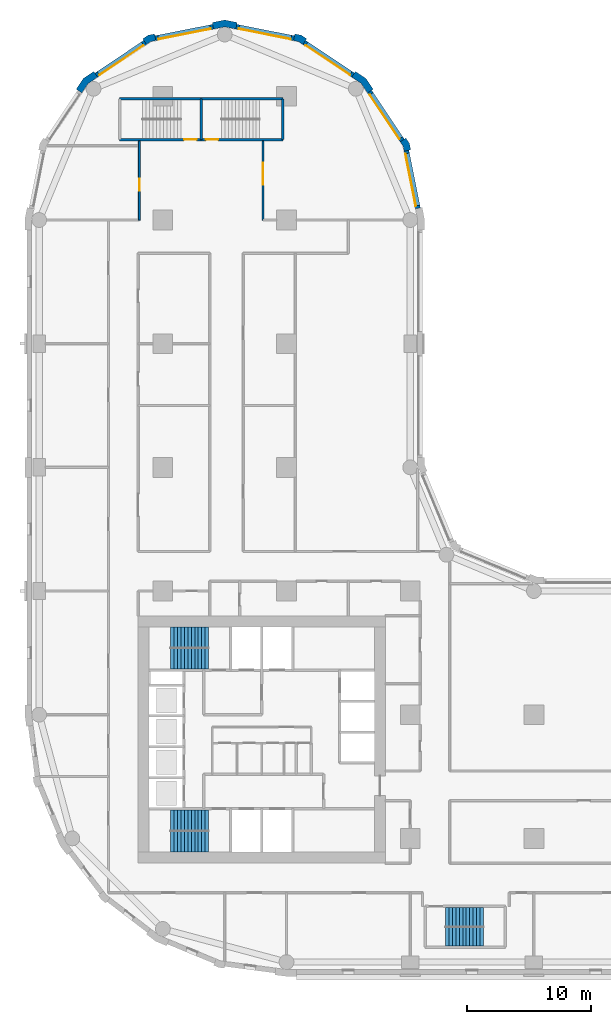
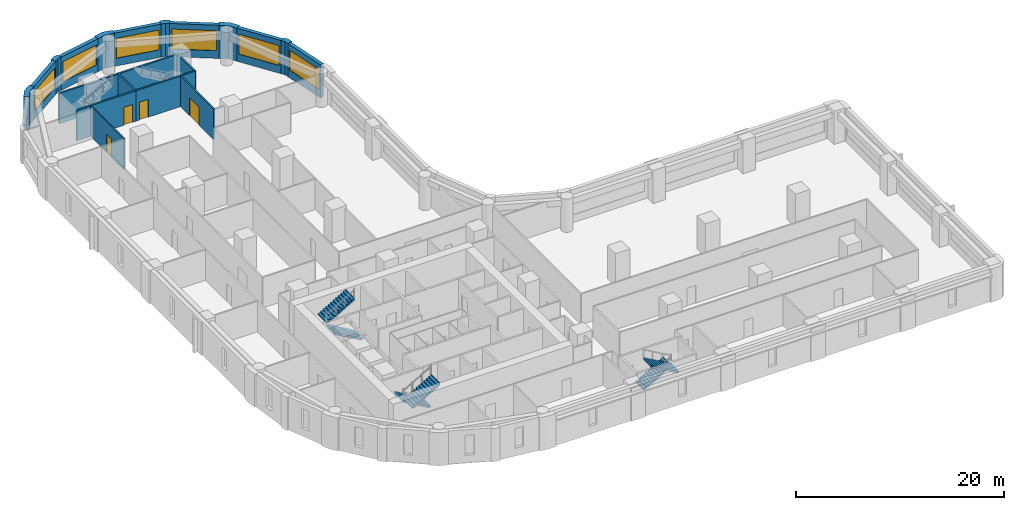
# One storey, part 7 of 10: 20 walls, 6 stair flights, 6 windows, 4 doors, 10 openings, 3 elements without a shape of their own.
"""IFC4 building model written with IfcOpenShell, lengths in metres."""

from ifc_helpers import new_model, si_unit, direction, frame, frame_2d, origin, place, context, subcontext, project, spatial, polyline, rectangle, outline, extrude, material, layer, layer_set, type_object, element, fill, aggregate, save


model = new_model("IFC4")

# Units and contexts
model_context = context("Model", 3, precision=1e-05, world=origin(), true_north=direction((0.0, 1.0)))
body_context = subcontext(model_context, "Body", "Model", "MODEL_VIEW")
ifc_project = project(units=[si_unit("LENGTHUNIT", "METRE"), si_unit("AREAUNIT", "SQUARE_METRE"), si_unit("VOLUMEUNIT", "CUBIC_METRE"), si_unit("PLANEANGLEUNIT", "RADIAN"), si_unit("MASSUNIT", "GRAM", prefix="KILO")], contexts=[model_context])

# Site, building, storey
site_placement = place(None, origin())
site = spatial("IfcSite", under=ifc_project, at=site_placement, CompositionType="ELEMENT")
building_placement = place(site_placement, origin())
building = spatial("IfcBuilding", under=site, at=building_placement, Name="Qaws Garden Tower", CompositionType="ELEMENT")
storey_placement = place(building_placement, frame((0.0, 0.0, 97.800048828125)))
storey = spatial("IfcBuildingStorey", under=building, at=storey_placement, Name="L24", CompositionType="ELEMENT", Elevation=97.800048828125)

# Wall, opening, window
ifc_material_1 = material(Name="Clay facing brick masonry", Category="masonry")
ifc_layer_1 = layer(ifc_material_1, 0.39990234375)
ifc_layer_set_1 = layer_set([ifc_layer_1], Name="Clay facing brick masonry")
wall_type_1 = type_object("IfcWallType", Name="Brick infill wall 400", PredefinedType="SOLIDWALL", material=ifc_layer_set_1)
wall_1_placement = place(storey_placement, frame((30.628662109375, 60.940673828125, 0.0), z_axis=(0.0, 0.0, 1.0), x_axis=(-0.195098533057, 0.98078364709, 0.0)))
wall_1 = element("IfcWall", 1, at=wall_1_placement, inside=storey, type_object=wall_type_1, Name="E-L24-infill-15", PredefinedType="SOLIDWALL", context=body_context, shape_type="SweptSolid", body=[
    extrude(rectangle(XDim=4.752685546875, YDim=0.39990234375, at=frame_2d((2.37646484375, 0.0))), origin(), (0.0, 0.0, 1.0), 3.89990234375),
])
opening_1_placement = place(wall_1_placement, frame((0.226318359375, 0.0, 0.89990234375)))
opening_1 = element("IfcOpeningElement", 2, at=opening_1_placement, cuts=wall_1, Name="Opening W06", PredefinedType="OPENING", context=body_context, shape_type="SweptSolid", body=[
    extrude(rectangle(XDim=4.300048828125, YDim=2.35009765625, at=frame_2d((2.14990234375, 1.175048828125))), frame((0.0, 0.2099609375, 0.0), z_axis=(0.0, -1.0, 0.0), x_axis=(1.0, 0.0, 0.0)), (0.0, 0.0, 1.0), 0.419921875),
])
ifc_material_2 = material(Name="Aluminium framed window, clear glazing", Category="aluminium")
window_type = type_object("IfcWindowType", Name="Ribbon window 4300 x 2350", PartitioningType="DOUBLE_PANEL_VERTICAL", PredefinedType="WINDOW", material=ifc_material_2)
window_1_placement = place(opening_1_placement, origin())
window_1 = element("IfcWindow", 3, at=window_1_placement, inside=storey, type_object=window_type, Name="E-L24-window-15-0", OverallHeight=2.35009765625, OverallWidth=4.300048828125, PartitioningType="SINGLE_PANEL", PredefinedType="WINDOW", context=body_context, shape_type="SweptSolid", body=[
    extrude(rectangle(XDim=4.300048828125, YDim=2.35009765625, at=frame_2d((2.14990234375, 1.175048828125))), frame((0.0, 0.159912109375, 0.0), z_axis=(0.0, -1.0, 0.0), x_axis=(1.0, 0.0, 0.0)), (0.0, 0.0, 1.0), 0.06005859375),
])
fill(opening_1, window_1)

wall_2_placement = place(storey_placement, frame((29.356689453125, 66.43408203125, 0.0), z_axis=(0.0, 0.0, 1.0), x_axis=(-0.555541552266, 0.831488775454, 0.0)))
wall_2 = element("IfcWall", 4, at=wall_2_placement, inside=storey, type_object=wall_type_1, Name="E-L24-infill-16", PredefinedType="SOLIDWALL", context=body_context, shape_type="SweptSolid", body=[
    extrude(rectangle(XDim=4.752685546875, YDim=0.39990234375, at=frame_2d((2.37646484375, 0.0))), origin(), (0.0, 0.0, 1.0), 3.89990234375),
])
opening_2_placement = place(wall_2_placement, frame((0.226318359375, 0.0, 0.89990234375)))
opening_2 = element("IfcOpeningElement", 5, at=opening_2_placement, cuts=wall_2, Name="Opening W06", PredefinedType="OPENING", context=body_context, shape_type="SweptSolid", body=[
    extrude(rectangle(XDim=4.300048828125, YDim=2.35009765625, at=frame_2d((2.14990234375, 1.175048828125))), frame((0.0, 0.2099609375, 0.0), z_axis=(0.0, -1.0, 0.0), x_axis=(1.0, 0.0, 0.0)), (0.0, 0.0, 1.0), 0.419921875),
])
window_2_placement = place(opening_2_placement, origin())
window_2 = element("IfcWindow", 6, at=window_2_placement, inside=storey, type_object=window_type, Name="E-L24-window-16-0", OverallHeight=2.35009765625, OverallWidth=4.300048828125, PartitioningType="SINGLE_PANEL", PredefinedType="WINDOW", context=body_context, shape_type="SweptSolid", body=[
    extrude(rectangle(XDim=4.300048828125, YDim=2.35009765625, at=frame_2d((2.14990234375, 1.175048828125))), frame((0.0, 0.159912109375, 0.0), z_axis=(0.0, -1.0, 0.0), x_axis=(1.0, 0.0, 0.0)), (0.0, 0.0, 1.0), 0.06005859375),
])
fill(opening_2, window_2)

wall_3_placement = place(storey_placement, frame((25.385986328125, 71.71630859375, 0.0), z_axis=(0.0, 0.0, 1.0), x_axis=(-0.831488775454, 0.555541552266, 0.0)))
wall_3 = element("IfcWall", 7, at=wall_3_placement, inside=storey, type_object=wall_type_1, Name="E-L24-infill-17", PredefinedType="SOLIDWALL", context=body_context, shape_type="SweptSolid", body=[
    extrude(rectangle(XDim=4.752685546875, YDim=0.39990234375, at=frame_2d((2.37646484375, 0.0))), origin(), (0.0, 0.0, 1.0), 3.89990234375),
])
opening_3_placement = place(wall_3_placement, frame((0.226318359375, 0.0, 0.89990234375)))
opening_3 = element("IfcOpeningElement", 8, at=opening_3_placement, cuts=wall_3, Name="Opening W06", PredefinedType="OPENING", context=body_context, shape_type="SweptSolid", body=[
    extrude(rectangle(XDim=4.300048828125, YDim=2.35009765625, at=frame_2d((2.14990234375, 1.175048828125))), frame((0.0, 0.2099609375, 0.0), z_axis=(0.0, -1.0, 0.0), x_axis=(1.0, 0.0, 0.0)), (0.0, 0.0, 1.0), 0.419921875),
])
window_3_placement = place(opening_3_placement, origin())
window_3 = element("IfcWindow", 9, at=window_3_placement, inside=storey, type_object=window_type, Name="E-L24-window-17-0", OverallHeight=2.35009765625, OverallWidth=4.300048828125, PartitioningType="SINGLE_PANEL", PredefinedType="WINDOW", context=body_context, shape_type="SweptSolid", body=[
    extrude(rectangle(XDim=4.300048828125, YDim=2.35009765625, at=frame_2d((2.14990234375, 1.175048828125))), frame((0.0, 0.159912109375, 0.0), z_axis=(0.0, -1.0, 0.0), x_axis=(1.0, 0.0, 0.0)), (0.0, 0.0, 1.0), 0.06005859375),
])
fill(opening_3, window_3)

wall_4_placement = place(storey_placement, frame((20.60205078125, 74.701416015625, 0.0), z_axis=(0.0, 0.0, 1.0), x_axis=(-0.98078364709, 0.195098533057, 0.0)))
wall_4 = element("IfcWall", 10, at=wall_4_placement, inside=storey, type_object=wall_type_1, Name="E-L24-infill-18", PredefinedType="SOLIDWALL", context=body_context, shape_type="SweptSolid", body=[
    extrude(rectangle(XDim=4.752685546875, YDim=0.39990234375, at=frame_2d((2.37646484375, 0.0))), origin(), (0.0, 0.0, 1.0), 3.89990234375),
])
opening_4_placement = place(wall_4_placement, frame((0.226318359375, 0.0, 0.89990234375)))
opening_4 = element("IfcOpeningElement", 11, at=opening_4_placement, cuts=wall_4, Name="Opening W06", PredefinedType="OPENING", context=body_context, shape_type="SweptSolid", body=[
    extrude(rectangle(XDim=4.300048828125, YDim=2.35009765625, at=frame_2d((2.14990234375, 1.175048828125))), frame((0.0, 0.2099609375, 0.0), z_axis=(0.0, -1.0, 0.0), x_axis=(1.0, 0.0, 0.0)), (0.0, 0.0, 1.0), 0.419921875),
])
window_4_placement = place(opening_4_placement, origin())
window_4 = element("IfcWindow", 12, at=window_4_placement, inside=storey, type_object=window_type, Name="E-L24-window-18-0", OverallHeight=2.35009765625, OverallWidth=4.300048828125, PartitioningType="SINGLE_PANEL", PredefinedType="WINDOW", context=body_context, shape_type="SweptSolid", body=[
    extrude(rectangle(XDim=4.300048828125, YDim=2.35009765625, at=frame_2d((2.14990234375, 1.175048828125))), frame((0.0, 0.159912109375, 0.0), z_axis=(0.0, -1.0, 0.0), x_axis=(1.0, 0.0, 0.0)), (0.0, 0.0, 1.0), 0.06005859375),
])
fill(opening_4, window_4)

wall_5_placement = place(storey_placement, frame((14.059326171875, 75.628662109375, 0.0), z_axis=(0.0, 0.0, 1.0), x_axis=(-0.98078364709, -0.195098533057, 0.0)))
wall_5 = element("IfcWall", 13, at=wall_5_placement, inside=storey, type_object=wall_type_1, Name="E-L24-infill-19", PredefinedType="SOLIDWALL", context=body_context, shape_type="SweptSolid", body=[
    extrude(rectangle(XDim=4.752685546875, YDim=0.39990234375, at=frame_2d((2.37646484375, 0.0))), origin(), (0.0, 0.0, 1.0), 3.89990234375),
])
opening_5_placement = place(wall_5_placement, frame((0.226318359375, 0.0, 0.89990234375)))
opening_5 = element("IfcOpeningElement", 14, at=opening_5_placement, cuts=wall_5, Name="Opening W06", PredefinedType="OPENING", context=body_context, shape_type="SweptSolid", body=[
    extrude(rectangle(XDim=4.300048828125, YDim=2.35009765625, at=frame_2d((2.14990234375, 1.175048828125))), frame((0.0, 0.2099609375, 0.0), z_axis=(0.0, -1.0, 0.0), x_axis=(1.0, 0.0, 0.0)), (0.0, 0.0, 1.0), 0.419921875),
])
window_5_placement = place(opening_5_placement, origin())
window_5 = element("IfcWindow", 15, at=window_5_placement, inside=storey, type_object=window_type, Name="E-L24-window-19-0", OverallHeight=2.35009765625, OverallWidth=4.300048828125, PartitioningType="SINGLE_PANEL", PredefinedType="WINDOW", context=body_context, shape_type="SweptSolid", body=[
    extrude(rectangle(XDim=4.300048828125, YDim=2.35009765625, at=frame_2d((2.14990234375, 1.175048828125))), frame((0.0, 0.159912109375, 0.0), z_axis=(0.0, -1.0, 0.0), x_axis=(1.0, 0.0, 0.0)), (0.0, 0.0, 1.0), 0.06005859375),
])
fill(opening_5, window_5)

wall_6_placement = place(storey_placement, frame((8.56591796875, 74.356689453125, 0.0), z_axis=(0.0, 0.0, 1.0), x_axis=(-0.831488775454, -0.555541552266, 0.0)))
wall_6 = element("IfcWall", 16, at=wall_6_placement, inside=storey, type_object=wall_type_1, Name="E-L24-infill-20", PredefinedType="SOLIDWALL", context=body_context, shape_type="SweptSolid", body=[
    extrude(rectangle(XDim=4.752685546875, YDim=0.39990234375, at=frame_2d((2.37646484375, 0.0))), origin(), (0.0, 0.0, 1.0), 3.89990234375),
])
opening_6_placement = place(wall_6_placement, frame((0.226318359375, 0.0, 0.89990234375)))
opening_6 = element("IfcOpeningElement", 17, at=opening_6_placement, cuts=wall_6, Name="Opening W06", PredefinedType="OPENING", context=body_context, shape_type="SweptSolid", body=[
    extrude(rectangle(XDim=4.300048828125, YDim=2.35009765625, at=frame_2d((2.14990234375, 1.175048828125))), frame((0.0, 0.2099609375, 0.0), z_axis=(0.0, -1.0, 0.0), x_axis=(1.0, 0.0, 0.0)), (0.0, 0.0, 1.0), 0.419921875),
])
window_6_placement = place(opening_6_placement, origin())
window_6 = element("IfcWindow", 18, at=window_6_placement, inside=storey, type_object=window_type, Name="E-L24-window-20-0", OverallHeight=2.35009765625, OverallWidth=4.300048828125, PartitioningType="SINGLE_PANEL", PredefinedType="WINDOW", context=body_context, shape_type="SweptSolid", body=[
    extrude(rectangle(XDim=4.300048828125, YDim=2.35009765625, at=frame_2d((2.14990234375, 1.175048828125))), frame((0.0, 0.159912109375, 0.0), z_axis=(0.0, -1.0, 0.0), x_axis=(1.0, 0.0, 0.0)), (0.0, 0.0, 1.0), 0.06005859375),
])
fill(opening_6, window_6)

# Walls
ifc_material_3 = material(Name="Clay facing brick masonry", Category="masonry")
ifc_layer_2 = layer(ifc_material_3, 0.550048828125)
ifc_layer_set_2 = layer_set([ifc_layer_2], Name="Clay facing brick masonry")
wall_type_2 = type_object("IfcWallType", Name="Brick kink pier 550 x 600", PredefinedType="SOLIDWALL", material=ifc_layer_set_2)
placement = place(storey_placement, origin())
element("IfcWall", 19, at=placement, inside=storey, type_object=wall_type_2, Name="E-L24-pier-16", PredefinedType="SOLIDWALL", context=body_context, shape_type="SweptSolid", body=[
    extrude(outline(polyline([(29.8974609375, 65.64111328125), (30.044677734375, 65.67041015625), (29.94140625, 66.18896484375), (29.647705078125, 66.628662109375), (29.52294921875, 66.545166015625), (29.1904296875, 66.322998046875), (29.42333984375, 65.974365234375), (29.505126953125, 65.56298828125), (29.8974609375, 65.64111328125)])), origin(), (0.0, 0.0, 1.0), 3.89990234375),
])
element("IfcWall", 20, at=placement, inside=storey, type_object=wall_type_2, Name="E-L24-pier-18", PredefinedType="SOLIDWALL", context=body_context, shape_type="SweptSolid", body=[
    extrude(outline(polyline([(21.545166015625, 74.52294921875), (21.628662109375, 74.647705078125), (21.18896484375, 74.94140625), (20.67041015625, 75.044677734375), (20.64111328125, 74.8974609375), (20.56298828125, 74.505126953125), (20.974365234375, 74.42333984375), (21.322998046875, 74.1904296875), (21.545166015625, 74.52294921875)])), origin(), (0.0, 0.0, 1.0), 3.89990234375),
])
element("IfcWall", 21, at=placement, inside=storey, type_object=wall_type_2, Name="E-L24-pier-20", PredefinedType="SOLIDWALL", context=body_context, shape_type="SweptSolid", body=[
    extrude(outline(polyline([(9.35888671875, 74.8974609375), (9.32958984375, 75.044677734375), (8.81103515625, 74.94140625), (8.371337890625, 74.647705078125), (8.454833984375, 74.52294921875), (8.677001953125, 74.1904296875), (9.025634765625, 74.42333984375), (9.43701171875, 74.505126953125), (9.35888671875, 74.8974609375)])), origin(), (0.0, 0.0, 1.0), 3.89990234375),
])
ifc_material_4 = material(Name="Clay facing brick masonry", Category="masonry")
ifc_layer_3 = layer(ifc_material_4, 0.550048828125)
ifc_layer_set_3 = layer_set([ifc_layer_3], Name="Clay facing brick masonry")
wall_type_3 = type_object("IfcWallType", Name="Brick pier 550 x 1600", PredefinedType="SOLIDWALL", material=ifc_layer_set_3)
element("IfcWall", 22, at=placement, inside=storey, type_object=wall_type_3, Name="E-L24-pier-17", PredefinedType="SOLIDWALL", context=body_context, shape_type="SweptSolid", body=[
    extrude(outline(polyline([(26.882568359375, 70.4970703125), (27.00732421875, 70.580322265625), (26.435791015625, 71.435791015625), (25.580322265625, 72.00732421875), (25.4970703125, 71.882568359375), (25.274658203125, 71.550048828125), (26.0390625, 71.0390625), (26.550048828125, 70.274658203125), (26.882568359375, 70.4970703125)])), origin(), (0.0, 0.0, 1.0), 3.89990234375),
])
element("IfcWall", 23, at=placement, inside=storey, type_object=wall_type_3, Name="E-L24-pier-19", PredefinedType="SOLIDWALL", context=body_context, shape_type="SweptSolid", body=[
    extrude(outline(polyline([(15.979736328125, 75.82470703125), (16.009033203125, 75.971923828125), (15.0, 76.172607421875), (13.990966796875, 75.971923828125), (14.020263671875, 75.82470703125), (14.098388671875, 75.432373046875), (15.0, 75.61181640625), (15.901611328125, 75.432373046875), (15.979736328125, 75.82470703125)])), origin(), (0.0, 0.0, 1.0), 3.89990234375),
])
element("IfcWall", 24, at=placement, inside=storey, type_object=wall_type_3, Name="E-L24-pier-21", PredefinedType="SOLIDWALL", context=body_context, shape_type="SweptSolid", body=[
    extrude(outline(polyline([(4.5029296875, 71.882568359375), (4.419677734375, 72.00732421875), (3.564208984375, 71.435791015625), (2.99267578125, 70.580322265625), (3.117431640625, 70.4970703125), (3.449951171875, 70.274658203125), (3.9609375, 71.0390625), (4.725341796875, 71.550048828125), (4.5029296875, 71.882568359375)])), origin(), (0.0, 0.0, 1.0), 3.89990234375),
])

# Wall, opening, door
ifc_material_5 = material(Name="Concrete C80", Category="concrete")
ifc_layer_4 = layer(ifc_material_5, 0.199951171875)
ifc_layer_set_4 = layer_set([ifc_layer_4], Name="Concrete C80")
wall_type_4 = type_object("IfcWallType", Name="Core shaft wall 200 C80", PredefinedType="SHEAR", material=ifc_layer_set_4)
wall_13_placement = place(storey_placement, frame((6.5, 66.5, 0.0), z_axis=(0.0, 0.0, 1.0), x_axis=(1.0, 0.0, 0.0)))
wall_13 = element("IfcWall", 25, at=wall_13_placement, inside=storey, type_object=wall_type_4, Name="Shaft wall", PredefinedType="SHEAR", context=body_context, shape_type="SweptSolid", body=[
    extrude(rectangle(XDim=6.60009765625, YDim=0.199951171875, at=frame_2d((3.300048828125, 0.0))), origin(), (0.0, 0.0, 1.0), 3.579833984375),
])
opening_7_placement = place(wall_13_placement, frame((5.22509765625, 0.0, 0.0)))
opening_7 = element("IfcOpeningElement", 26, at=opening_7_placement, cuts=wall_13, Name="Opening SD13", PredefinedType="OPENING", context=body_context, shape_type="SweptSolid", body=[
    extrude(rectangle(XDim=1.0, YDim=2.10009765625, at=frame_2d((0.5, 1.050048828125))), frame((0.0, 0.10986328125, 0.0), z_axis=(0.0, -1.0, 0.0), x_axis=(1.0, 0.0, 0.0)), (0.0, 0.0, 1.0), 0.219970703125),
])
ifc_material_6 = material(Name="Steel S235", Category="steel")
door_type_1 = type_object("IfcDoorType", Name="Stair door 1000x2100", OperationType="SINGLE_SWING_RIGHT", PredefinedType="DOOR", material=ifc_material_6)
door_1_placement = place(opening_7_placement, origin())
door_1 = element("IfcDoor", 27, at=door_1_placement, inside=storey, type_object=door_type_1, Name="Stair 6 door", OperationType="SINGLE_SWING_RIGHT", OverallHeight=2.10009765625, OverallWidth=1.0, PredefinedType="DOOR", context=body_context, shape_type="SweptSolid", body=[
    extrude(rectangle(XDim=1.0, YDim=2.10009765625, at=frame_2d((0.5, 1.050048828125))), frame((0.0, 0.02490234375, 0.0), z_axis=(0.0, -1.0, 0.0), x_axis=(1.0, 0.0, 0.0)), (0.0, 0.0, 1.0), 0.050048828125),
])
fill(opening_7, door_1)

wall_14_placement = place(storey_placement, frame((13.10009765625, 66.5, 0.0), z_axis=(0.0, 0.0, 1.0), x_axis=(1.0, 0.0, 0.0)))
wall_14 = element("IfcWall", 28, at=wall_14_placement, inside=storey, type_object=wall_type_4, Name="Shaft wall", PredefinedType="SHEAR", context=body_context, shape_type="SweptSolid", body=[
    extrude(rectangle(XDim=6.599853515625, YDim=0.199951171875, at=frame_2d((3.2998046875, 0.0))), origin(), (0.0, 0.0, 1.0), 3.579833984375),
])
opening_8_placement = place(wall_14_placement, frame((0.375, 0.0, 0.0)))
opening_8 = element("IfcOpeningElement", 29, at=opening_8_placement, cuts=wall_14, Name="Opening SD14", PredefinedType="OPENING", context=body_context, shape_type="SweptSolid", body=[
    extrude(rectangle(XDim=1.0, YDim=2.10009765625, at=frame_2d((0.5, 1.050048828125))), frame((0.0, 0.10986328125, 0.0), z_axis=(0.0, -1.0, 0.0), x_axis=(1.0, 0.0, 0.0)), (0.0, 0.0, 1.0), 0.219970703125),
])
door_2_placement = place(opening_8_placement, origin())
door_2 = element("IfcDoor", 30, at=door_2_placement, inside=storey, type_object=door_type_1, Name="Stair 7 door", OperationType="SINGLE_SWING_LEFT", OverallHeight=2.10009765625, OverallWidth=1.0, PredefinedType="DOOR", context=body_context, shape_type="SweptSolid", body=[
    extrude(rectangle(XDim=1.0, YDim=2.10009765625, at=frame_2d((0.5, 1.050048828125))), frame((0.0, 0.02490234375, 0.0), z_axis=(0.0, -1.0, 0.0), x_axis=(1.0, 0.0, 0.0)), (0.0, 0.0, 1.0), 0.050048828125),
])
fill(opening_8, door_2)

# Walls
wall_15_placement = place(storey_placement, frame((6.5, 69.800048828125, 0.0), z_axis=(0.0, 0.0, 1.0), x_axis=(1.0, 0.0, 0.0)))
element("IfcWall", 31, at=wall_15_placement, inside=storey, type_object=wall_type_4, Name="Shaft wall", PredefinedType="SHEAR", context=body_context, shape_type="SweptSolid", body=[
    extrude(rectangle(XDim=6.60009765625, YDim=0.199951171875, at=frame_2d((3.300048828125, 0.0))), origin(), (0.0, 0.0, 1.0), 3.579833984375),
])
wall_16_placement = place(storey_placement, frame((13.10009765625, 69.800048828125, 0.0), z_axis=(0.0, 0.0, 1.0), x_axis=(1.0, 0.0, 0.0)))
element("IfcWall", 32, at=wall_16_placement, inside=storey, type_object=wall_type_4, Name="Shaft wall", PredefinedType="SHEAR", context=body_context, shape_type="SweptSolid", body=[
    extrude(rectangle(XDim=6.599853515625, YDim=0.199951171875, at=frame_2d((3.2998046875, 0.0))), origin(), (0.0, 0.0, 1.0), 3.579833984375),
])
for number, where, z_axis, x_axis, name in (
    (33, (13.10009765625, 66.5, 0.0), (0.0, 0.0, 1.0), (0.0, 1.0, 0.0), "Shaft wall"),
    (34, (19.699951171875, 66.5, 0.0), (0.0, 0.0, 1.0), (0.0, 1.0, 0.0), "Shaft wall"),
):
    element("IfcWall", number, at=place(storey_placement, frame(where, z_axis=z_axis, x_axis=x_axis)), inside=storey, type_object=wall_type_4, Name=name, PredefinedType="SHEAR", context=body_context, shape_type="SweptSolid", body=[
        extrude(rectangle(XDim=3.300048828125, YDim=0.199951171875, at=frame_2d((1.64990234375, 0.0))), origin(), (0.0, 0.0, 1.0), 3.579833984375),
    ])

# Wall, opening, door
ifc_material_7 = material(Name="Gypsum board partition")
ifc_layer_5 = layer(ifc_material_7, 0.14990234375)
ifc_layer_set_5 = layer_set([ifc_layer_5], Name="Gypsum board partition")
wall_type_5 = type_object("IfcWallType", Name="PARTITION 150 EI 60", PredefinedType="PARTITIONING", material=ifc_layer_set_5)
wall_17_placement = place(storey_placement, frame((8.10009765625, 60.0, 0.0), z_axis=(0.0, 0.0, 1.0), x_axis=(0.0, 1.0, 0.0)))
wall_17 = element("IfcWall", 35, at=wall_17_placement, inside=storey, type_object=wall_type_5, Name="O-L24-wall-004", PredefinedType="PARTITIONING", context=body_context, shape_type="SweptSolid", body=[
    extrude(rectangle(XDim=6.39990234375, YDim=0.14990234375, at=frame_2d((3.199951171875, 0.0))), origin(), (0.0, 0.0, 1.0), 3.579833984375),
])
opening_9_placement = place(wall_17_placement, frame((2.35009765625, 0.0, 0.0)))
opening_9 = element("IfcOpeningElement", 36, at=opening_9_placement, cuts=wall_17, Name="Opening A820", PredefinedType="OPENING", context=body_context, shape_type="SweptSolid", body=[
    extrude(rectangle(XDim=1.0, YDim=2.10009765625, at=frame_2d((0.5, 1.050048828125))), frame((0.0, 0.0849609375, 0.0), z_axis=(0.0, -1.0, 0.0), x_axis=(1.0, 0.0, 0.0)), (0.0, 0.0, 1.0), 0.169921875),
])
ifc_material_8 = material(Name="Timber door leaf", Category="wood")
door_type_2 = type_object("IfcDoorType", Name="TENANCY ENTRANCE DOOR 1000 X 2100", OperationType="SINGLE_SWING_LEFT", PredefinedType="DOOR", material=ifc_material_8)
door_3_placement = place(opening_9_placement, origin())
door_3 = element("IfcDoor", 37, at=door_3_placement, inside=storey, type_object=door_type_2, Name="O-L24-door-020", OperationType="SINGLE_SWING_LEFT", OverallHeight=2.10009765625, OverallWidth=1.0, PredefinedType="DOOR", context=body_context, shape_type="SweptSolid", body=[
    extrude(rectangle(XDim=1.0, YDim=2.10009765625, at=frame_2d((0.5, 1.050048828125))), frame((0.0, 0.02490234375, 0.0), z_axis=(0.0, -1.0, 0.0), x_axis=(1.0, 0.0, 0.0)), (0.0, 0.0, 1.0), 0.050048828125),
])
fill(opening_9, door_3)

wall_18_placement = place(storey_placement, frame((18.10009765625, 60.0, 0.0), z_axis=(0.0, 0.0, 1.0), x_axis=(0.0, 1.0, 0.0)))
wall_18 = element("IfcWall", 38, at=wall_18_placement, inside=storey, type_object=wall_type_5, Name="O-L24-wall-009", PredefinedType="PARTITIONING", context=body_context, shape_type="SweptSolid", body=[
    extrude(rectangle(XDim=6.39990234375, YDim=0.14990234375, at=frame_2d((3.199951171875, 0.0))), origin(), (0.0, 0.0, 1.0), 3.579833984375),
])
opening_10_placement = place(wall_18_placement, frame((2.85009765625, 0.0, 0.0)))
opening_10 = element("IfcOpeningElement", 39, at=opening_10_placement, cuts=wall_18, Name="Opening A821", PredefinedType="OPENING", context=body_context, shape_type="SweptSolid", body=[
    extrude(rectangle(XDim=1.800048828125, YDim=2.10009765625, at=frame_2d((0.89990234375, 1.050048828125))), frame((0.0, 0.0849609375, 0.0), z_axis=(0.0, -1.0, 0.0), x_axis=(1.0, 0.0, 0.0)), (0.0, 0.0, 1.0), 0.169921875),
])
ifc_material_9 = material(Name="Timber door leaf", Category="wood")
door_type_3 = type_object("IfcDoorType", Name="DOUBLE DOOR 1800 X 2100", OperationType="DOUBLE_DOOR_SINGLE_SWING", PredefinedType="DOOR", material=ifc_material_9)
door_4_placement = place(opening_10_placement, frame((1.800048828125, 0.0, 0.0), z_axis=(0.0, 0.0, 1.0), x_axis=(-1.0, 0.0, 0.0)))
door_4 = element("IfcDoor", 40, at=door_4_placement, inside=storey, type_object=door_type_3, Name="O-L24-door-021", OperationType="DOUBLE_DOOR_SINGLE_SWING", OverallHeight=2.10009765625, OverallWidth=1.800048828125, PredefinedType="DOOR", context=body_context, shape_type="SweptSolid", body=[
    extrude(rectangle(XDim=1.800048828125, YDim=2.10009765625, at=frame_2d((0.89990234375, 1.050048828125))), frame((0.0, 0.02490234375, 0.0), z_axis=(0.0, -1.0, 0.0), x_axis=(1.0, 0.0, 0.0)), (0.0, 0.0, 1.0), 0.050048828125),
])
fill(opening_10, door_4)

# Stair, stair flights
ifc_material_10 = material(Name="Concrete C40", Category="concrete")
stair_type_1 = type_object("IfcStairType", Name="Exit stair 1350", PredefinedType="HALF_TURN_STAIR", material=ifc_material_10)
stair_1 = element("IfcStair", 41, at=placement, inside=storey, type_object=stair_type_1, Name="Stair 5", PredefinedType="HALF_TURN_STAIR")
ifc_material_11 = material(Name="Concrete C40", Category="concrete")
stair_flight_type_1 = type_object("IfcStairFlightType", Name="Stair flight 1350", PredefinedType="STRAIGHT", material=ifc_material_11)
stair_flight_1_placement = place(storey_placement, frame((32.85009765625, 3.625, 0.0), z_axis=(0.0, 0.0, 1.0), x_axis=(1.0, 0.0, 0.0)))
stair_flight_1 = element("IfcStairFlight", 42, at=stair_flight_1_placement, type_object=stair_flight_type_1, Name="ST5 flight 1", NumberOfRisers=12, NumberOfTreads=11, PredefinedType="STRAIGHT", RiserHeight=0.1625, TreadLength=0.28, context=body_context, shape_type="SweptSolid", body=[
    extrude(outline(polyline([(-0.0029296875, 0.0), (-0.0029296875, 0.16259765625), (0.0, 0.16259765625), (0.280029296875, 0.16259765625), (0.280029296875, 0.324951171875), (0.56005859375, 0.324951171875), (0.56005859375, 0.487548828125), (0.840087890625, 0.487548828125), (0.840087890625, 0.64990234375), (1.1201171875, 0.64990234375), (1.1201171875, 0.8125), (1.39990234375, 0.8125), (1.39990234375, 0.97509765625), (1.679931640625, 0.97509765625), (1.679931640625, 1.137451171875), (1.9599609375, 1.137451171875), (1.9599609375, 1.300048828125), (2.239990234375, 1.300048828125), (2.239990234375, 1.46240234375), (2.52001953125, 1.46240234375), (2.52001953125, 1.625), (2.800048828125, 1.625), (2.800048828125, 1.78759765625), (3.080078125, 1.78759765625), (3.080078125, 1.949951171875), (3.0830078125, 1.949951171875), (3.0830078125, 1.6142578125), (3.080078125, 1.6142578125), (0.298583984375, 0.0), (-0.0029296875, 0.0)])), frame((0.0, 0.77490234375, 0.0), z_axis=(0.0, -1.0, 0.0), x_axis=(1.0, 0.0, 0.0)), (0.0, 0.0, 1.0), 1.550048828125),
])
stair_flight_2_placement = place(storey_placement, frame((35.929931640625, 2.074951171875, 1.949951171875), z_axis=(0.0, 0.0, 1.0), x_axis=(-1.0, 0.0, 0.0)))
stair_flight_2 = element("IfcStairFlight", 43, at=stair_flight_2_placement, type_object=stair_flight_type_1, Name="ST5 flight 2", NumberOfRisers=12, NumberOfTreads=11, PredefinedType="STRAIGHT", RiserHeight=0.1625, TreadLength=0.28, context=body_context, shape_type="SweptSolid", body=[
    extrude(outline(polyline([(-0.0029296875, 0.0), (-0.0029296875, 0.16259765625), (0.0, 0.16259765625), (0.280029296875, 0.16259765625), (0.280029296875, 0.324951171875), (0.56005859375, 0.324951171875), (0.56005859375, 0.487548828125), (0.840087890625, 0.487548828125), (0.840087890625, 0.64990234375), (1.1201171875, 0.64990234375), (1.1201171875, 0.8125), (1.39990234375, 0.8125), (1.39990234375, 0.97509765625), (1.679931640625, 0.97509765625), (1.679931640625, 1.137451171875), (1.9599609375, 1.137451171875), (1.9599609375, 1.300048828125), (2.239990234375, 1.300048828125), (2.239990234375, 1.46240234375), (2.52001953125, 1.46240234375), (2.52001953125, 1.625), (2.800048828125, 1.625), (2.800048828125, 1.78759765625), (3.080078125, 1.78759765625), (3.080078125, 1.949951171875), (3.0830078125, 1.949951171875), (3.0830078125, 1.6142578125), (3.080078125, 1.6142578125), (0.298583984375, 0.0), (-0.0029296875, 0.0)])), frame((0.0, 0.77490234375, 0.0), z_axis=(0.0, -1.0, 0.0), x_axis=(1.0, 0.0, 0.0)), (0.0, 0.0, 1.0), 1.550048828125),
])
aggregate(stair_1, [stair_flight_1, stair_flight_2])

ifc_material_12 = material(Name="Concrete C40", Category="concrete")
stair_type_2 = type_object("IfcStairType", Name="Exit stair 1500", PredefinedType="HALF_TURN_STAIR", material=ifc_material_12)
stair_2 = element("IfcStair", 44, at=placement, inside=storey, type_object=stair_type_2, Name="Stair 1", PredefinedType="HALF_TURN_STAIR")
ifc_material_13 = material(Name="Concrete C40", Category="concrete")
stair_flight_type_2 = type_object("IfcStairFlightType", Name="Stair flight 1500", PredefinedType="STRAIGHT", material=ifc_material_13)
stair_flight_3_placement = place(storey_placement, frame((13.699951171875, 11.449951171875, 0.0), z_axis=(0.0, 0.0, 1.0), x_axis=(-1.0, 0.0, 0.0)))
stair_flight_3 = element("IfcStairFlight", 45, at=stair_flight_3_placement, type_object=stair_flight_type_2, Name="ST1 flight 1", NumberOfRisers=12, NumberOfTreads=11, PredefinedType="STRAIGHT", RiserHeight=0.1625, TreadLength=0.28, context=body_context, shape_type="SweptSolid", body=[
    extrude(outline(polyline([(-0.0029296875, 0.0), (-0.0029296875, 0.16259765625), (0.0, 0.16259765625), (0.280029296875, 0.16259765625), (0.280029296875, 0.324951171875), (0.56005859375, 0.324951171875), (0.56005859375, 0.487548828125), (0.840087890625, 0.487548828125), (0.840087890625, 0.64990234375), (1.1201171875, 0.64990234375), (1.1201171875, 0.8125), (1.39990234375, 0.8125), (1.39990234375, 0.97509765625), (1.679931640625, 0.97509765625), (1.679931640625, 1.137451171875), (1.9599609375, 1.137451171875), (1.9599609375, 1.300048828125), (2.239990234375, 1.300048828125), (2.239990234375, 1.46240234375), (2.52001953125, 1.46240234375), (2.52001953125, 1.625), (2.800048828125, 1.625), (2.800048828125, 1.78759765625), (3.080078125, 1.78759765625), (3.080078125, 1.949951171875), (3.0830078125, 1.949951171875), (3.0830078125, 1.6142578125), (3.080078125, 1.6142578125), (0.298583984375, 0.0), (-0.0029296875, 0.0)])), frame((0.0, 0.85009765625, 0.0), z_axis=(0.0, -1.0, 0.0), x_axis=(1.0, 0.0, 0.0)), (0.0, 0.0, 1.0), 1.699951171875),
])
stair_flight_4_placement = place(storey_placement, frame((10.6201171875, 9.75, 1.949951171875), z_axis=(0.0, 0.0, 1.0), x_axis=(1.0, 0.0, 0.0)))
stair_flight_4 = element("IfcStairFlight", 46, at=stair_flight_4_placement, type_object=stair_flight_type_2, Name="ST1 flight 2", NumberOfRisers=12, NumberOfTreads=11, PredefinedType="STRAIGHT", RiserHeight=0.1625, TreadLength=0.28, context=body_context, shape_type="SweptSolid", body=[
    extrude(outline(polyline([(-0.0029296875, 0.0), (-0.0029296875, 0.16259765625), (0.0, 0.16259765625), (0.280029296875, 0.16259765625), (0.280029296875, 0.324951171875), (0.56005859375, 0.324951171875), (0.56005859375, 0.487548828125), (0.840087890625, 0.487548828125), (0.840087890625, 0.64990234375), (1.1201171875, 0.64990234375), (1.1201171875, 0.8125), (1.39990234375, 0.8125), (1.39990234375, 0.97509765625), (1.679931640625, 0.97509765625), (1.679931640625, 1.137451171875), (1.9599609375, 1.137451171875), (1.9599609375, 1.300048828125), (2.239990234375, 1.300048828125), (2.239990234375, 1.46240234375), (2.52001953125, 1.46240234375), (2.52001953125, 1.625), (2.800048828125, 1.625), (2.800048828125, 1.78759765625), (3.080078125, 1.78759765625), (3.080078125, 1.949951171875), (3.0830078125, 1.949951171875), (3.0830078125, 1.6142578125), (3.080078125, 1.6142578125), (0.298583984375, 0.0), (-0.0029296875, 0.0)])), frame((0.0, 0.85009765625, 0.0), z_axis=(0.0, -1.0, 0.0), x_axis=(1.0, 0.0, 0.0)), (0.0, 0.0, 1.0), 1.699951171875),
])
aggregate(stair_2, [stair_flight_3, stair_flight_4])

stair_3 = element("IfcStair", 47, at=placement, inside=storey, type_object=stair_type_2, Name="Stair 4", PredefinedType="HALF_TURN_STAIR")
stair_flight_5_placement = place(storey_placement, frame((13.699951171875, 24.550048828125, 0.0), z_axis=(0.0, 0.0, 1.0), x_axis=(-1.0, 0.0, 0.0)))
stair_flight_5 = element("IfcStairFlight", 48, at=stair_flight_5_placement, type_object=stair_flight_type_2, Name="ST4 flight 1", NumberOfRisers=12, NumberOfTreads=11, PredefinedType="STRAIGHT", RiserHeight=0.1625, TreadLength=0.28, context=body_context, shape_type="SweptSolid", body=[
    extrude(outline(polyline([(-0.0029296875, 0.0), (-0.0029296875, 0.16259765625), (0.0, 0.16259765625), (0.280029296875, 0.16259765625), (0.280029296875, 0.324951171875), (0.56005859375, 0.324951171875), (0.56005859375, 0.487548828125), (0.840087890625, 0.487548828125), (0.840087890625, 0.64990234375), (1.1201171875, 0.64990234375), (1.1201171875, 0.8125), (1.39990234375, 0.8125), (1.39990234375, 0.97509765625), (1.679931640625, 0.97509765625), (1.679931640625, 1.137451171875), (1.9599609375, 1.137451171875), (1.9599609375, 1.300048828125), (2.239990234375, 1.300048828125), (2.239990234375, 1.46240234375), (2.52001953125, 1.46240234375), (2.52001953125, 1.625), (2.800048828125, 1.625), (2.800048828125, 1.78759765625), (3.080078125, 1.78759765625), (3.080078125, 1.949951171875), (3.0830078125, 1.949951171875), (3.0830078125, 1.6142578125), (3.080078125, 1.6142578125), (0.298583984375, 0.0), (-0.0029296875, 0.0)])), frame((0.0, 0.844970703125, 0.0), z_axis=(0.0, -1.0, 0.0), x_axis=(1.0, 0.0, 0.0)), (0.0, 0.0, 1.0), 1.68994140625),
])
stair_flight_6_placement = place(storey_placement, frame((10.6201171875, 26.25, 1.949951171875), z_axis=(0.0, 0.0, 1.0), x_axis=(1.0, 0.0, 0.0)))
stair_flight_6 = element("IfcStairFlight", 49, at=stair_flight_6_placement, type_object=stair_flight_type_2, Name="ST4 flight 2", NumberOfRisers=12, NumberOfTreads=11, PredefinedType="STRAIGHT", RiserHeight=0.1625, TreadLength=0.28, context=body_context, shape_type="SweptSolid", body=[
    extrude(outline(polyline([(-0.0029296875, 0.0), (-0.0029296875, 0.16259765625), (0.0, 0.16259765625), (0.280029296875, 0.16259765625), (0.280029296875, 0.324951171875), (0.56005859375, 0.324951171875), (0.56005859375, 0.487548828125), (0.840087890625, 0.487548828125), (0.840087890625, 0.64990234375), (1.1201171875, 0.64990234375), (1.1201171875, 0.8125), (1.39990234375, 0.8125), (1.39990234375, 0.97509765625), (1.679931640625, 0.97509765625), (1.679931640625, 1.137451171875), (1.9599609375, 1.137451171875), (1.9599609375, 1.300048828125), (2.239990234375, 1.300048828125), (2.239990234375, 1.46240234375), (2.52001953125, 1.46240234375), (2.52001953125, 1.625), (2.800048828125, 1.625), (2.800048828125, 1.78759765625), (3.080078125, 1.78759765625), (3.080078125, 1.949951171875), (3.0830078125, 1.949951171875), (3.0830078125, 1.6142578125), (3.080078125, 1.6142578125), (0.298583984375, 0.0), (-0.0029296875, 0.0)])), frame((0.0, 0.844970703125, 0.0), z_axis=(0.0, -1.0, 0.0), x_axis=(1.0, 0.0, 0.0)), (0.0, 0.0, 1.0), 1.68994140625),
])
aggregate(stair_3, [stair_flight_5, stair_flight_6])

save(model, "model.ifc")
